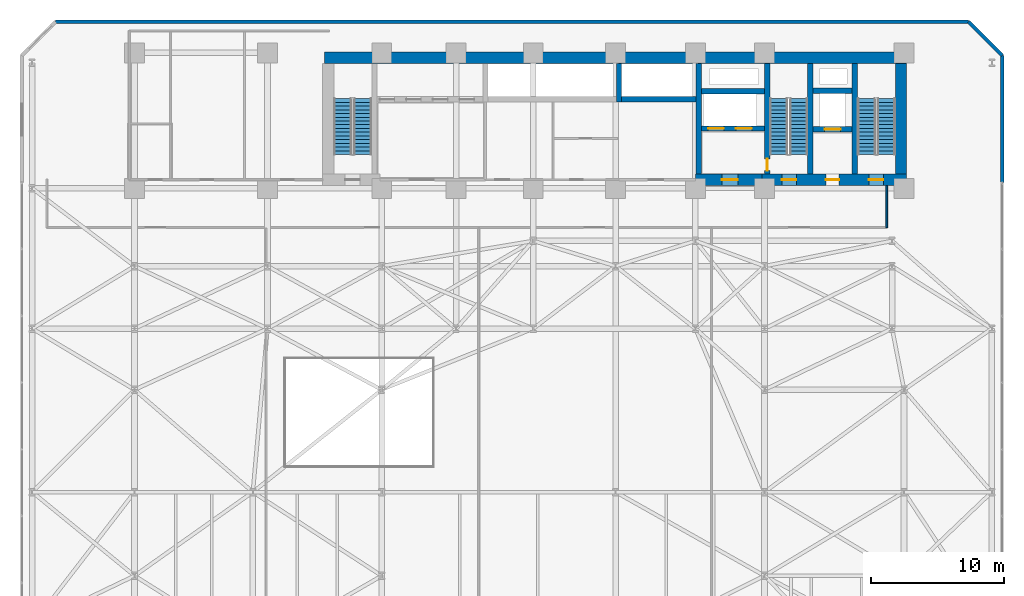
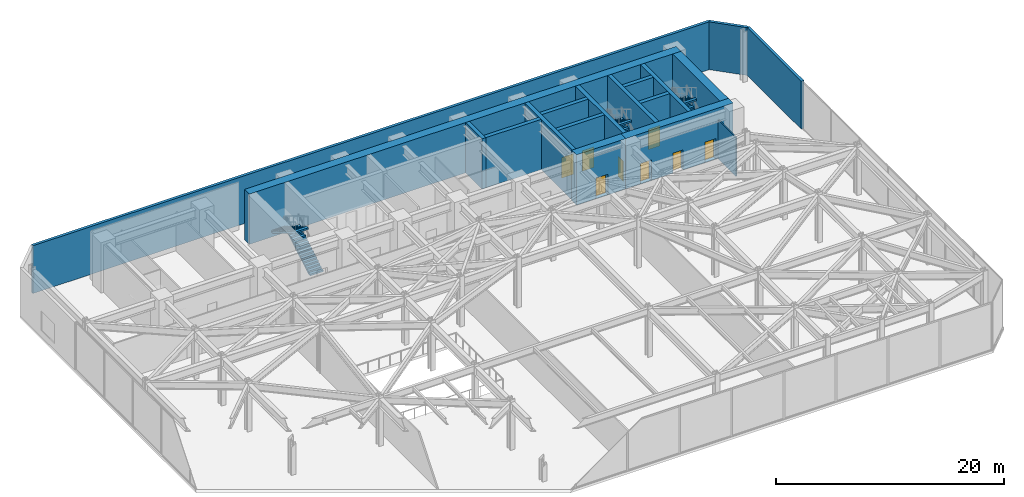
# One storey, part 26 of 29: 18 walls, 8 doors, 6 stair flights, 8 openings, 3 elements without a shape of their own.
"""IFC4 building model written with IfcOpenShell, lengths in metres."""

from ifc_helpers import new_model, si_unit, direction, frame, frame_2d, origin, place, context, subcontext, project, spatial, polyline, rectangle, outline, extrude, material, layer, layer_set, type_object, element, fill, aggregate, save


model = new_model("IFC4")

# Units and contexts
model_context = context("Model", 3, precision=1e-05, world=origin(), true_north=direction((0.0, 1.0)))
body_context = subcontext(model_context, "Body", "Model", "MODEL_VIEW")
ifc_project = project(units=[si_unit("LENGTHUNIT", "METRE"), si_unit("AREAUNIT", "SQUARE_METRE"), si_unit("VOLUMEUNIT", "CUBIC_METRE"), si_unit("PLANEANGLEUNIT", "RADIAN"), si_unit("MASSUNIT", "GRAM", prefix="KILO")], contexts=[model_context])

# Site, building, storey
site_placement = place(None, origin())
site = spatial("IfcSite", under=ifc_project, at=site_placement, CompositionType="ELEMENT")
building_placement = place(site_placement, origin())
building = spatial("IfcBuilding", under=site, at=building_placement, Name="Kravanh Interchange Tower", CompositionType="ELEMENT")
storey_placement = place(building_placement, frame((0.0, 0.0, 5.39990234375)))
storey = spatial("IfcBuildingStorey", under=building, at=storey_placement, Name="L01", CompositionType="ELEMENT", Elevation=5.39990234375)

# Walls
ifc_material_1 = material(Name="Double Acoustic Gypsum Board and Mineral Wool")
ifc_layer_1 = layer(ifc_material_1, 0.1201171875)
ifc_layer_set_1 = layer_set([ifc_layer_1], Name="Acoustic Office Drywall Partition 120mm")
wall_type_1 = type_object("IfcWallType", Name="Acoustic Office Drywall Partition 120mm", PredefinedType="PARTITIONING", material=ifc_layer_set_1)
wall_1_placement = place(storey_placement, frame((65.199951171875, 34.39990234375, 0.0), z_axis=(0.0, 0.0, 1.0), x_axis=(0.0, 1.0, 0.0)))
element("IfcWall", 1, at=wall_1_placement, inside=storey, type_object=wall_type_1, Name="L01 Interior Partition 9", PredefinedType="PARTITIONING", context=body_context, shape_type="SweptSolid", body=[
    extrude(rectangle(XDim=3.1669921875, YDim=0.1201171875, at=frame_2d((1.58349609375, 0.0))), origin(), (0.0, 0.0, 1.0), 4.18212890625),
])
ifc_material_2 = material(Name="Concrete C80/95", Category="concrete")
ifc_layer_2 = layer(ifc_material_2, 0.39990234375)
ifc_layer_set_2 = layer_set([ifc_layer_2], Name="Core Shear Wall Concrete C80/95 400mm")
wall_type_2 = type_object("IfcWallType", Name="Core Shear Wall Concrete C80/95 400mm", PredefinedType="SHEAR", material=ifc_layer_set_2)
for number, where, z_axis, x_axis, name in (
    (2, (62.800048828125, 38.425048828125, 0.0), (0.0, 0.0, 1.0), (0.0, 1.0, 0.0), "L01 Stair ST1 West Shear Wall"),
    (3, (59.449951171875, 38.425048828125, 0.0), (0.0, 0.0, 1.0), (0.0, 1.0, 0.0), "L01 Stair ST2 East Shear Wall"),
):
    element("IfcWall", number, at=place(storey_placement, frame(where, z_axis=z_axis, x_axis=x_axis)), inside=storey, type_object=wall_type_2, Name=name, PredefinedType="SHEAR", context=body_context, shape_type="SweptSolid", body=[
        extrude(rectangle(XDim=8.324951171875, YDim=0.39990234375, at=frame_2d((4.16259765625, 0.0))), origin(), (0.0, 0.0, 1.0), 5.400146484375),
    ])

# Wall, opening, door
wall_2_placement = place(storey_placement, frame((56.199951171875, 38.425048828125, 0.0), z_axis=(0.0, 0.0, 1.0), x_axis=(0.0, 1.0, 0.0)))
wall_2 = element("IfcWall", 4, at=wall_2_placement, inside=storey, type_object=wall_type_2, Name="L01 Stair ST2 West Shear Wall", PredefinedType="SHEAR", context=body_context, shape_type="SweptSolid", body=[
    extrude(rectangle(XDim=8.324951171875, YDim=0.39990234375, at=frame_2d((4.16259765625, 0.0))), origin(), (0.0, 0.0, 1.0), 5.400146484375),
])
opening_1_placement = place(wall_2_placement, frame((0.2548828125, 0.0, 0.0)))
opening_1 = element("IfcOpeningElement", 5, at=opening_1_placement, cuts=wall_2, Name="Opening D-STAIR-90", PredefinedType="OPENING", context=body_context, shape_type="SweptSolid", body=[
    extrude(rectangle(XDim=0.89990234375, YDim=2.14990234375, at=frame_2d((0.449951171875, 1.074951171875))), frame((0.0, 0.2099609375, 0.0), z_axis=(0.0, -1.0, 0.0), x_axis=(1.0, 0.0, 0.0)), (0.0, 0.0, 1.0), 0.419921875),
])
ifc_material_3 = material(Name="Structural Steel S355", Category="steel")
door_type_1 = type_object("IfcDoorType", Name="Fire-Rated Stair Lobby Door 900x2150", OperationType="NOTDEFINED", PredefinedType="DOOR", material=ifc_material_3)
door_1_placement = place(opening_1_placement, origin())
door_1 = element("IfcDoor", 6, at=door_1_placement, inside=storey, type_object=door_type_1, Name="L01 Firefighting Lobby to Stair ST2 Door", OperationType="SINGLE_SWING_LEFT", OverallHeight=2.14990234375, OverallWidth=0.89990234375, PredefinedType="DOOR", context=body_context, shape_type="SweptSolid", body=[
    extrude(rectangle(XDim=0.89990234375, YDim=2.14990234375, at=frame_2d((0.449951171875, 1.074951171875))), frame((0.0, 0.02490234375, 0.0), z_axis=(0.0, -1.0, 0.0), x_axis=(1.0, 0.0, 0.0)), (0.0, 0.0, 1.0), 0.050048828125),
])
fill(opening_1, door_1)

wall_3_placement = place(storey_placement, frame((59.64990234375, 41.800048828125, 0.0), z_axis=(0.0, 0.0, 1.0), x_axis=(1.0, 0.0, 0.0)))
wall_3 = element("IfcWall", 7, at=wall_3_placement, inside=storey, type_object=wall_type_2, Name="L01 Service Lift Shaft South Wall", PredefinedType="SHEAR", context=body_context, shape_type="SweptSolid", body=[
    extrude(rectangle(XDim=2.9501953125, YDim=0.39990234375, at=frame_2d((1.47509765625, 0.0))), origin(), (0.0, 0.0, 1.0), 5.400146484375),
])
opening_2_placement = place(wall_3_placement, frame((0.8701171875, 0.0, 0.0)))
opening_2 = element("IfcOpeningElement", 8, at=opening_2_placement, cuts=wall_3, Name="Opening LD02", PredefinedType="OPENING", context=body_context, shape_type="SweptSolid", body=[
    extrude(rectangle(XDim=1.199951171875, YDim=2.199951171875, at=frame_2d((0.60009765625, 1.10009765625))), frame((0.0, 0.2099609375, 0.0), z_axis=(0.0, -1.0, 0.0), x_axis=(1.0, 0.0, 0.0)), (0.0, 0.0, 1.0), 0.419921875),
])
ifc_material_4 = material(Name="Stainless Steel 316", Category="steel")
door_type_2 = type_object("IfcDoorType", Name="Fire and Service Lift Sliding Landing Door 1200x2200", OperationType="DOUBLE_DOOR_SLIDING", PredefinedType="DOOR", material=ifc_material_4)
door_2_placement = place(opening_2_placement, origin())
door_2 = element("IfcDoor", 9, at=door_2_placement, inside=storey, type_object=door_type_2, Name="L01 Lift LS-01 Landing Door", OperationType="DOUBLE_DOOR_SLIDING", OverallHeight=2.199951171875, OverallWidth=1.199951171875, PredefinedType="DOOR", context=body_context, shape_type="SweptSolid", body=[
    extrude(rectangle(XDim=1.199951171875, YDim=2.199951171875, at=frame_2d((0.60009765625, 1.10009765625))), frame((0.0, 0.02490234375, 0.0), z_axis=(0.0, -1.0, 0.0), x_axis=(1.0, 0.0, 0.0)), (0.0, 0.0, 1.0), 0.050048828125),
])
fill(opening_2, door_2)

# Wall
wall_4_placement = place(storey_placement, frame((59.64990234375, 44.699951171875, 0.0), z_axis=(0.0, 0.0, 1.0), x_axis=(1.0, 0.0, 0.0)))
element("IfcWall", 10, at=wall_4_placement, inside=storey, type_object=wall_type_2, Name="L01 Service Lift Shaft North Wall", PredefinedType="SHEAR", context=body_context, shape_type="SweptSolid", body=[
    extrude(rectangle(XDim=2.9501953125, YDim=0.39990234375, at=frame_2d((1.47509765625, 0.0))), origin(), (0.0, 0.0, 1.0), 5.400146484375),
])

# Wall, openings, doors
wall_5_placement = place(storey_placement, frame((51.25, 41.85009765625, 0.0), z_axis=(0.0, 0.0, 1.0), x_axis=(1.0, 0.0, 0.0)))
wall_5 = element("IfcWall", 11, at=wall_5_placement, inside=storey, type_object=wall_type_2, Name="L01 Fire Lift Shaft South Wall", PredefinedType="SHEAR", context=body_context, shape_type="SweptSolid", body=[
    extrude(rectangle(XDim=4.75, YDim=0.39990234375, at=frame_2d((2.375, 0.0))), origin(), (0.0, 0.0, 1.0), 5.400146484375),
])
opening_3_placement = place(wall_5_placement, frame((0.5, 0.0, 0.0)))
opening_3 = element("IfcOpeningElement", 12, at=opening_3_placement, cuts=wall_5, Name="Opening LD02", PredefinedType="OPENING", context=body_context, shape_type="SweptSolid", body=[
    extrude(rectangle(XDim=1.199951171875, YDim=2.199951171875, at=frame_2d((0.60009765625, 1.10009765625))), frame((0.0, 0.2099609375, 0.0), z_axis=(0.0, -1.0, 0.0), x_axis=(1.0, 0.0, 0.0)), (0.0, 0.0, 1.0), 0.419921875),
])
opening_4_placement = place(wall_5_placement, frame((2.60009765625, 0.0, 0.0)))
opening_4 = element("IfcOpeningElement", 13, at=opening_4_placement, cuts=wall_5, Name="Opening LD02", PredefinedType="OPENING", context=body_context, shape_type="SweptSolid", body=[
    extrude(rectangle(XDim=1.199951171875, YDim=2.199951171875, at=frame_2d((0.60009765625, 1.10009765625))), frame((0.0, 0.2099609375, 0.0), z_axis=(0.0, -1.0, 0.0), x_axis=(1.0, 0.0, 0.0)), (0.0, 0.0, 1.0), 0.419921875),
])
door_3_placement = place(opening_3_placement, origin())
door_3 = element("IfcDoor", 14, at=door_3_placement, inside=storey, type_object=door_type_2, Name="L01 Lift FSAE-01 Landing Door", OperationType="DOUBLE_DOOR_SLIDING", OverallHeight=2.199951171875, OverallWidth=1.199951171875, PredefinedType="DOOR", context=body_context, shape_type="SweptSolid", body=[
    extrude(rectangle(XDim=1.199951171875, YDim=2.199951171875, at=frame_2d((0.60009765625, 1.10009765625))), frame((0.0, 0.02490234375, 0.0), z_axis=(0.0, -1.0, 0.0), x_axis=(1.0, 0.0, 0.0)), (0.0, 0.0, 1.0), 0.050048828125),
])
fill(opening_3, door_3)
door_4_placement = place(opening_4_placement, origin())
door_4 = element("IfcDoor", 15, at=door_4_placement, inside=storey, type_object=door_type_2, Name="L01 Lift FSAE-02 Landing Door", OperationType="DOUBLE_DOOR_SLIDING", OverallHeight=2.199951171875, OverallWidth=1.199951171875, PredefinedType="DOOR", context=body_context, shape_type="SweptSolid", body=[
    extrude(rectangle(XDim=1.199951171875, YDim=2.199951171875, at=frame_2d((0.60009765625, 1.10009765625))), frame((0.0, 0.02490234375, 0.0), z_axis=(0.0, -1.0, 0.0), x_axis=(1.0, 0.0, 0.0)), (0.0, 0.0, 1.0), 0.050048828125),
])
fill(opening_4, door_4)

# Walls
wall_6_placement = place(storey_placement, frame((51.25, 44.64990234375, 0.0), z_axis=(0.0, 0.0, 1.0), x_axis=(1.0, 0.0, 0.0)))
element("IfcWall", 16, at=wall_6_placement, inside=storey, type_object=wall_type_2, Name="L01 Fire Lift Shaft North Wall", PredefinedType="SHEAR", context=body_context, shape_type="SweptSolid", body=[
    extrude(rectangle(XDim=4.75, YDim=0.39990234375, at=frame_2d((2.375, 0.0))), origin(), (0.0, 0.0, 1.0), 5.400146484375),
])
wall_7_placement = place(storey_placement, frame((51.050048828125, 38.425048828125, 0.0), z_axis=(0.0, 0.0, 1.0), x_axis=(0.0, 1.0, 0.0)))
element("IfcWall", 17, at=wall_7_placement, inside=storey, type_object=wall_type_2, Name="L01 Firefighting Lobby West Wall", PredefinedType="SHEAR", context=body_context, shape_type="SweptSolid", body=[
    extrude(rectangle(XDim=8.324951171875, YDim=0.39990234375, at=frame_2d((4.16259765625, 0.0))), origin(), (0.0, 0.0, 1.0), 5.400146484375),
])
wall_8_placement = place(storey_placement, frame((45.25, 44.050048828125, 0.0), z_axis=(0.0, 0.0, 1.0), x_axis=(1.0, 0.0, 0.0)))
element("IfcWall", 18, at=wall_8_placement, inside=storey, type_object=wall_type_2, Name="L01 High-Rise Lift Shaft South Wall", PredefinedType="SHEAR", context=body_context, shape_type="SweptSolid", body=[
    extrude(rectangle(XDim=5.60009765625, YDim=0.39990234375, at=frame_2d((2.800048828125, 0.0))), origin(), (0.0, 0.0, 1.0), 5.400146484375),
])
wall_9_placement = place(storey_placement, frame((45.050048828125, 43.85009765625, 0.0), z_axis=(0.0, 0.0, 1.0), x_axis=(0.0, 1.0, 0.0)))
element("IfcWall", 19, at=wall_9_placement, inside=storey, type_object=wall_type_2, Name="L01 High-Rise Lift Shaft West Wall", PredefinedType="SHEAR", context=body_context, shape_type="SweptSolid", body=[
    extrude(rectangle(XDim=2.89990234375, YDim=0.39990234375, at=frame_2d((1.449951171875, 0.0))), origin(), (0.0, 0.0, 1.0), 5.400146484375),
])
ifc_material_5 = material(Name="Concrete C80/95", Category="concrete")
ifc_layer_3 = layer(ifc_material_5, 0.85009765625)
ifc_layer_set_3 = layer_set([ifc_layer_3], Name="Core Shear Wall Concrete C80/95 850mm")
wall_type_3 = type_object("IfcWallType", Name="Core Shear Wall Concrete C80/95 850mm", PredefinedType="SHEAR", material=ifc_layer_set_3)
wall_10_placement = place(storey_placement, frame((22.89990234375, 47.175048828125, 0.0), z_axis=(0.0, 0.0, 1.0), x_axis=(1.0, 0.0, 0.0)))
element("IfcWall", 20, at=wall_10_placement, inside=storey, type_object=wall_type_3, Name="L01 North Core Shear Wall", PredefinedType="SHEAR", context=body_context, shape_type="SweptSolid", body=[
    extrude(rectangle(XDim=43.800048828125, YDim=0.85009765625, at=frame_2d((21.89990234375, 0.0))), origin(), (0.0, 0.0, 1.0), 5.400146484375),
])

# Wall, openings, doors
wall_11_placement = place(storey_placement, frame((55.800048828125, 38.0, 0.0), z_axis=(0.0, 0.0, 1.0), x_axis=(1.0, 0.0, 0.0)))
wall_11 = element("IfcWall", 21, at=wall_11_placement, inside=storey, type_object=wall_type_3, Name="L01 East Core South Shear Wall", PredefinedType="SHEAR", context=body_context, shape_type="SweptSolid", body=[
    extrude(rectangle(XDim=10.89990234375, YDim=0.85009765625, at=frame_2d((5.449951171875, 0.0))), origin(), (0.0, 0.0, 1.0), 5.400146484375),
])
opening_5_placement = place(wall_11_placement, frame((1.5, 0.0, 0.0)))
opening_5 = element("IfcOpeningElement", 22, at=opening_5_placement, cuts=wall_11, Name="Opening D-STAIR-110", PredefinedType="OPENING", context=body_context, shape_type="SweptSolid", body=[
    extrude(rectangle(XDim=1.10009765625, YDim=2.199951171875, at=frame_2d((0.550048828125, 1.10009765625))), frame((0.0, 0.43505859375, 0.0), z_axis=(0.0, -1.0, 0.0), x_axis=(1.0, 0.0, 0.0)), (0.0, 0.0, 1.0), 0.8701171875),
])
opening_6_placement = place(wall_11_placement, frame((4.820068359375, 0.0, 0.0)))
opening_6 = element("IfcOpeningElement", 23, at=opening_6_placement, cuts=wall_11, Name="Opening D-HOTEL-100", PredefinedType="OPENING", context=body_context, shape_type="SweptSolid", body=[
    extrude(rectangle(XDim=1.0, YDim=2.14990234375, at=frame_2d((0.5, 1.074951171875))), frame((0.0, 0.43505859375, 0.0), z_axis=(0.0, -1.0, 0.0), x_axis=(1.0, 0.0, 0.0)), (0.0, 0.0, 1.0), 0.8701171875),
])
opening_7_placement = place(wall_11_placement, frame((8.050048828125, 0.0, 0.0)))
opening_7 = element("IfcOpeningElement", 24, at=opening_7_placement, cuts=wall_11, Name="Opening D-STAIR-110", PredefinedType="OPENING", context=body_context, shape_type="SweptSolid", body=[
    extrude(rectangle(XDim=1.10009765625, YDim=2.199951171875, at=frame_2d((0.550048828125, 1.10009765625))), frame((0.0, 0.43505859375, 0.0), z_axis=(0.0, -1.0, 0.0), x_axis=(1.0, 0.0, 0.0)), (0.0, 0.0, 1.0), 0.8701171875),
])
ifc_material_6 = material(Name="Structural Steel S355", Category="steel")
door_type_3 = type_object("IfcDoorType", Name="Fire-Rated Exit Stair Door 1100x2200", OperationType="NOTDEFINED", PredefinedType="DOOR", material=ifc_material_6)
door_5_placement = place(opening_5_placement, origin())
door_5 = element("IfcDoor", 25, at=door_5_placement, inside=storey, type_object=door_type_3, Name="L01 Exit Stair ST2 Door", OperationType="SINGLE_SWING_RIGHT", OverallHeight=2.199951171875, OverallWidth=1.10009765625, PredefinedType="DOOR", context=body_context, shape_type="SweptSolid", body=[
    extrude(rectangle(XDim=1.10009765625, YDim=2.199951171875, at=frame_2d((0.550048828125, 1.10009765625))), frame((0.0, 0.02490234375, 0.0), z_axis=(0.0, -1.0, 0.0), x_axis=(1.0, 0.0, 0.0)), (0.0, 0.0, 1.0), 0.050048828125),
])
fill(opening_5, door_5)
door_6_placement = place(opening_7_placement, origin())
door_6 = element("IfcDoor", 26, at=door_6_placement, inside=storey, type_object=door_type_3, Name="L01 Exit Stair ST1 Door", OperationType="SINGLE_SWING_RIGHT", OverallHeight=2.199951171875, OverallWidth=1.10009765625, PredefinedType="DOOR", context=body_context, shape_type="SweptSolid", body=[
    extrude(rectangle(XDim=1.10009765625, YDim=2.199951171875, at=frame_2d((0.550048828125, 1.10009765625))), frame((0.0, 0.02490234375, 0.0), z_axis=(0.0, -1.0, 0.0), x_axis=(1.0, 0.0, 0.0)), (0.0, 0.0, 1.0), 0.050048828125),
])
fill(opening_7, door_6)
ifc_material_7 = material(Name="Fire-Rated Solid Timber Leaf", Category="wood")
door_type_4 = type_object("IfcDoorType", Name="Fire-Rated Suite Entrance Door 1000x2150", OperationType="NOTDEFINED", PredefinedType="DOOR", material=ifc_material_7)
door_7_placement = place(opening_6_placement, origin())
door_7 = element("IfcDoor", 27, at=door_7_placement, inside=storey, type_object=door_type_4, Name="L01 Service Lift Lobby Door", OperationType="SINGLE_SWING_RIGHT", OverallHeight=2.14990234375, OverallWidth=1.0, PredefinedType="DOOR", context=body_context, shape_type="SweptSolid", body=[
    extrude(rectangle(XDim=1.0, YDim=2.14990234375, at=frame_2d((0.5, 1.074951171875))), frame((0.0, 0.02490234375, 0.0), z_axis=(0.0, -1.0, 0.0), x_axis=(1.0, 0.0, 0.0)), (0.0, 0.0, 1.0), 0.050048828125),
])
fill(opening_6, door_7)

# Wall
wall_12_placement = place(storey_placement, frame((66.27490234375, 38.425048828125, 0.0), z_axis=(0.0, 0.0, 1.0), x_axis=(0.0, 1.0, 0.0)))
element("IfcWall", 28, at=wall_12_placement, inside=storey, type_object=wall_type_3, Name="L01 Stair ST1 East Shear Wall", PredefinedType="SHEAR", context=body_context, shape_type="SweptSolid", body=[
    extrude(rectangle(XDim=8.324951171875, YDim=0.85009765625, at=frame_2d((4.16259765625, 0.0))), origin(), (0.0, 0.0, 1.0), 5.400146484375),
])

# Wall, opening, door
wall_13_placement = place(storey_placement, frame((50.800048828125, 38.0, 0.0), z_axis=(0.0, 0.0, 1.0), x_axis=(1.0, 0.0, 0.0)))
wall_13 = element("IfcWall", 29, at=wall_13_placement, inside=storey, type_object=wall_type_3, Name="L01 Firefighting Lobby South Shear Wall", PredefinedType="SHEAR", context=body_context, shape_type="SweptSolid", body=[
    extrude(rectangle(XDim=5.0, YDim=0.85009765625, at=frame_2d((2.5, 0.0))), origin(), (0.0, 0.0, 1.0), 5.400146484375),
])
opening_8_placement = place(wall_13_placement, frame((2.0, 0.0, 0.0)))
opening_8 = element("IfcOpeningElement", 30, at=opening_8_placement, cuts=wall_13, Name="Opening D-FSAE-120", PredefinedType="OPENING", context=body_context, shape_type="SweptSolid", body=[
    extrude(rectangle(XDim=1.199951171875, YDim=2.199951171875, at=frame_2d((0.60009765625, 1.10009765625))), frame((0.0, 0.43505859375, 0.0), z_axis=(0.0, -1.0, 0.0), x_axis=(1.0, 0.0, 0.0)), (0.0, 0.0, 1.0), 0.8701171875),
])
ifc_material_8 = material(Name="Structural Steel S355", Category="steel")
door_type_5 = type_object("IfcDoorType", Name="Fire-Rated Refuge and FSAE Door 1200x2200", OperationType="NOTDEFINED", PredefinedType="DOOR", material=ifc_material_8)
door_8_placement = place(opening_8_placement, origin())
door_8 = element("IfcDoor", 31, at=door_8_placement, inside=storey, type_object=door_type_5, Name="L01 Firefighting Lobby Corridor Door", OperationType="SINGLE_SWING_RIGHT", OverallHeight=2.199951171875, OverallWidth=1.199951171875, PredefinedType="DOOR", context=body_context, shape_type="SweptSolid", body=[
    extrude(rectangle(XDim=1.199951171875, YDim=2.199951171875, at=frame_2d((0.60009765625, 1.10009765625))), frame((0.0, 0.02490234375, 0.0), z_axis=(0.0, -1.0, 0.0), x_axis=(1.0, 0.0, 0.0)), (0.0, 0.0, 1.0), 0.050048828125),
])
fill(opening_8, door_8)

# Walls
ifc_material_9 = material(Name="Insulated Precast Concrete C40/50 with Bronze Cladding", Category="concrete")
ifc_layer_4 = layer(ifc_material_9, 0.280029296875)
ifc_layer_set_4 = layer_set([ifc_layer_4], Name="Exterior Insulated Concrete C40/50 Bronze Spandrel Wall 280mm")
wall_type_4 = type_object("IfcWallType", Name="Exterior Insulated Concrete C40/50 Bronze Spandrel Wall 280mm", PredefinedType="STANDARD", material=ifc_layer_set_4)
wall_14_placement = place(storey_placement, frame((2.649658203125, 49.8798828125, 0.0), z_axis=(0.0, 0.0, 1.0), x_axis=(1.0, 0.0, 0.0)))
element("IfcWall", 32, at=wall_14_placement, inside=storey, type_object=wall_type_4, Name="L01 Exterior Wall 3", PredefinedType="STANDARD", context=body_context, shape_type="SweptSolid", body=[
    extrude(rectangle(XDim=68.70068359375, YDim=0.280029296875, at=frame_2d((34.350341796875, 0.0))), origin(), (0.0, 0.0, 1.0), 5.130126953125),
])
wall_15_placement = place(storey_placement, frame((71.350341796875, 49.8798828125, 0.0), z_axis=(0.0, 0.0, 1.0), x_axis=(0.707106781187, -0.707106781187, 0.0)))
element("IfcWall", 33, at=wall_15_placement, inside=storey, type_object=wall_type_4, Name="L01 Exterior Wall 4", PredefinedType="STANDARD", context=body_context, shape_type="SweptSolid", body=[
    extrude(rectangle(XDim=3.577392578125, YDim=0.280029296875, at=frame_2d((1.78857421875, 0.0))), origin(), (0.0, 0.0, 1.0), 5.130126953125),
])
wall_16_placement = place(storey_placement, frame((73.8798828125, 47.350341796875, 0.0), z_axis=(0.0, 0.0, 1.0), x_axis=(0.0, -1.0, 0.0)))
element("IfcWall", 34, at=wall_16_placement, inside=storey, type_object=wall_type_4, Name="L01 Exterior Wall 5", PredefinedType="STANDARD", context=body_context, shape_type="SweptSolid", body=[
    extrude(rectangle(XDim=9.55029296875, YDim=0.280029296875, at=frame_2d((4.775146484375, 0.0))), origin(), (0.0, 0.0, 1.0), 5.130126953125),
])

# Stair, stair flights
ifc_material_10 = material(Name="Concrete C50/60", Category="concrete")
stair_type = type_object("IfcStairType", Name="Core Fire Exit Dogleg Stair Concrete C50/60", PredefinedType="HALF_TURN_STAIR", material=ifc_material_10)
stair_1_placement = place(storey_placement, origin())
stair_1 = element("IfcStair", 35, at=stair_1_placement, inside=storey, type_object=stair_type, Name="L01 Exit Stair ST1", PredefinedType="HALF_TURN_STAIR")
ifc_material_11 = material(Name="Precast Concrete C50/60", Category="concrete")
ifc_layer_5 = layer(ifc_material_11, 0.199951171875)
ifc_layer_set_5 = layer_set([ifc_layer_5], Name="Precast Concrete C50/60 Stair Flight 1350mm")
stair_flight_type = type_object("IfcStairFlightType", Name="Precast Concrete C50/60 Stair Flight 1350mm", PredefinedType="STRAIGHT", material=ifc_layer_set_5)
stair_flight_1_placement = place(storey_placement, frame((65.175048828125, 39.89990234375, 0.0), z_axis=(0.0, 0.0, 1.0), x_axis=(0.0, 1.0, 0.0)))
stair_flight_1 = element("IfcStairFlight", 36, at=stair_flight_1_placement, type_object=stair_flight_type, Name="ST1 flight 1", NumberOfRisers=16, NumberOfTreads=15, PredefinedType="STRAIGHT", RiserHeight=0.16875, TreadLength=0.28, context=body_context, shape_type="SweptSolid", body=[
    extrude(outline(polyline([(0.0, 0.0), (0.0, 0.168701171875), (0.280029296875, 0.168701171875), (0.280029296875, 0.33740234375), (0.56005859375, 0.33740234375), (0.56005859375, 0.50634765625), (0.840087890625, 0.50634765625), (0.840087890625, 0.675048828125), (1.1201171875, 0.675048828125), (1.1201171875, 0.84375), (1.39990234375, 0.84375), (1.39990234375, 1.012451171875), (1.679931640625, 1.012451171875), (1.679931640625, 1.18115234375), (1.9599609375, 1.18115234375), (1.9599609375, 1.35009765625), (2.239990234375, 1.35009765625), (2.239990234375, 1.518798828125), (2.52001953125, 1.518798828125), (2.52001953125, 1.6875), (2.800048828125, 1.6875), (2.800048828125, 1.856201171875), (3.080078125, 1.856201171875), (3.080078125, 2.02490234375), (3.360107421875, 2.02490234375), (3.360107421875, 2.19384765625), (3.639892578125, 2.19384765625), (3.639892578125, 2.362548828125), (3.919921875, 2.362548828125), (3.919921875, 2.53125), (4.199951171875, 2.53125), (4.199951171875, 2.699951171875), (4.199951171875, 2.356201171875), (0.29052734375, 0.0), (0.0, 0.0)])), frame((0.0, 0.675048828125, 0.0), z_axis=(0.0, -1.0, 0.0), x_axis=(1.0, 0.0, 0.0)), (0.0, 0.0, 1.0), 1.35009765625),
])
stair_flight_2_placement = place(storey_placement, frame((63.675048828125, 44.10009765625, 2.7001953125), z_axis=(0.0, 0.0, 1.0), x_axis=(0.0, -1.0, 0.0)))
stair_flight_2 = element("IfcStairFlight", 37, at=stair_flight_2_placement, type_object=stair_flight_type, Name="ST1 flight 2", NumberOfRisers=16, NumberOfTreads=15, PredefinedType="STRAIGHT", RiserHeight=0.16875, TreadLength=0.28, context=body_context, shape_type="SweptSolid", body=[
    extrude(outline(polyline([(0.0, 0.0), (0.0, 0.168701171875), (0.280029296875, 0.168701171875), (0.280029296875, 0.33740234375), (0.56005859375, 0.33740234375), (0.56005859375, 0.50634765625), (0.840087890625, 0.50634765625), (0.840087890625, 0.675048828125), (1.1201171875, 0.675048828125), (1.1201171875, 0.84375), (1.39990234375, 0.84375), (1.39990234375, 1.012451171875), (1.679931640625, 1.012451171875), (1.679931640625, 1.18115234375), (1.9599609375, 1.18115234375), (1.9599609375, 1.35009765625), (2.239990234375, 1.35009765625), (2.239990234375, 1.518798828125), (2.52001953125, 1.518798828125), (2.52001953125, 1.6875), (2.800048828125, 1.6875), (2.800048828125, 1.856201171875), (3.080078125, 1.856201171875), (3.080078125, 2.02490234375), (3.360107421875, 2.02490234375), (3.360107421875, 2.19384765625), (3.639892578125, 2.19384765625), (3.639892578125, 2.362548828125), (3.919921875, 2.362548828125), (3.919921875, 2.53125), (4.199951171875, 2.53125), (4.199951171875, 2.699951171875), (4.199951171875, 2.356201171875), (0.29052734375, 0.0), (0.0, 0.0)])), frame((0.0, 0.675048828125, 0.0), z_axis=(0.0, -1.0, 0.0), x_axis=(1.0, 0.0, 0.0)), (0.0, 0.0, 1.0), 1.35009765625),
])
aggregate(stair_1, [stair_flight_1, stair_flight_2])

stair_2_placement = place(storey_placement, origin())
stair_2 = element("IfcStair", 38, at=stair_2_placement, inside=storey, type_object=stair_type, Name="L01 Exit Stair ST2", PredefinedType="HALF_TURN_STAIR")
stair_flight_3_placement = place(storey_placement, frame((58.574951171875, 39.89990234375, 0.0), z_axis=(0.0, 0.0, 1.0), x_axis=(0.0, 1.0, 0.0)))
stair_flight_3 = element("IfcStairFlight", 39, at=stair_flight_3_placement, type_object=stair_flight_type, Name="ST2 flight 1", NumberOfRisers=16, NumberOfTreads=15, PredefinedType="STRAIGHT", RiserHeight=0.16875, TreadLength=0.28, context=body_context, shape_type="SweptSolid", body=[
    extrude(outline(polyline([(0.0, 0.0), (0.0, 0.168701171875), (0.280029296875, 0.168701171875), (0.280029296875, 0.33740234375), (0.56005859375, 0.33740234375), (0.56005859375, 0.50634765625), (0.840087890625, 0.50634765625), (0.840087890625, 0.675048828125), (1.1201171875, 0.675048828125), (1.1201171875, 0.84375), (1.39990234375, 0.84375), (1.39990234375, 1.012451171875), (1.679931640625, 1.012451171875), (1.679931640625, 1.18115234375), (1.9599609375, 1.18115234375), (1.9599609375, 1.35009765625), (2.239990234375, 1.35009765625), (2.239990234375, 1.518798828125), (2.52001953125, 1.518798828125), (2.52001953125, 1.6875), (2.800048828125, 1.6875), (2.800048828125, 1.856201171875), (3.080078125, 1.856201171875), (3.080078125, 2.02490234375), (3.360107421875, 2.02490234375), (3.360107421875, 2.19384765625), (3.639892578125, 2.19384765625), (3.639892578125, 2.362548828125), (3.919921875, 2.362548828125), (3.919921875, 2.53125), (4.199951171875, 2.53125), (4.199951171875, 2.699951171875), (4.199951171875, 2.356201171875), (0.29052734375, 0.0), (0.0, 0.0)])), frame((0.0, 0.675048828125, 0.0), z_axis=(0.0, -1.0, 0.0), x_axis=(1.0, 0.0, 0.0)), (0.0, 0.0, 1.0), 1.35009765625),
])
stair_flight_4_placement = place(storey_placement, frame((57.074951171875, 44.10009765625, 2.7001953125), z_axis=(0.0, 0.0, 1.0), x_axis=(0.0, -1.0, 0.0)))
stair_flight_4 = element("IfcStairFlight", 40, at=stair_flight_4_placement, type_object=stair_flight_type, Name="ST2 flight 2", NumberOfRisers=16, NumberOfTreads=15, PredefinedType="STRAIGHT", RiserHeight=0.16875, TreadLength=0.28, context=body_context, shape_type="SweptSolid", body=[
    extrude(outline(polyline([(0.0, 0.0), (0.0, 0.168701171875), (0.280029296875, 0.168701171875), (0.280029296875, 0.33740234375), (0.56005859375, 0.33740234375), (0.56005859375, 0.50634765625), (0.840087890625, 0.50634765625), (0.840087890625, 0.675048828125), (1.1201171875, 0.675048828125), (1.1201171875, 0.84375), (1.39990234375, 0.84375), (1.39990234375, 1.012451171875), (1.679931640625, 1.012451171875), (1.679931640625, 1.18115234375), (1.9599609375, 1.18115234375), (1.9599609375, 1.35009765625), (2.239990234375, 1.35009765625), (2.239990234375, 1.518798828125), (2.52001953125, 1.518798828125), (2.52001953125, 1.6875), (2.800048828125, 1.6875), (2.800048828125, 1.856201171875), (3.080078125, 1.856201171875), (3.080078125, 2.02490234375), (3.360107421875, 2.02490234375), (3.360107421875, 2.19384765625), (3.639892578125, 2.19384765625), (3.639892578125, 2.362548828125), (3.919921875, 2.362548828125), (3.919921875, 2.53125), (4.199951171875, 2.53125), (4.199951171875, 2.699951171875), (4.199951171875, 2.356201171875), (0.29052734375, 0.0), (0.0, 0.0)])), frame((0.0, 0.675048828125, 0.0), z_axis=(0.0, -1.0, 0.0), x_axis=(1.0, 0.0, 0.0)), (0.0, 0.0, 1.0), 1.35009765625),
])
aggregate(stair_2, [stair_flight_3, stair_flight_4])

stair_3_placement = place(storey_placement, origin())
stair_3 = element("IfcStair", 41, at=stair_3_placement, inside=storey, type_object=stair_type, Name="L01 Exit Stair ST3", PredefinedType="HALF_TURN_STAIR")
stair_flight_5_placement = place(storey_placement, frame((25.77490234375, 39.89990234375, 0.0), z_axis=(0.0, 0.0, 1.0), x_axis=(0.0, 1.0, 0.0)))
stair_flight_5 = element("IfcStairFlight", 42, at=stair_flight_5_placement, type_object=stair_flight_type, Name="ST3 flight 1", NumberOfRisers=16, NumberOfTreads=15, PredefinedType="STRAIGHT", RiserHeight=0.16875, TreadLength=0.28, context=body_context, shape_type="SweptSolid", body=[
    extrude(outline(polyline([(0.0, 0.0), (0.0, 0.168701171875), (0.280029296875, 0.168701171875), (0.280029296875, 0.33740234375), (0.56005859375, 0.33740234375), (0.56005859375, 0.50634765625), (0.840087890625, 0.50634765625), (0.840087890625, 0.675048828125), (1.1201171875, 0.675048828125), (1.1201171875, 0.84375), (1.39990234375, 0.84375), (1.39990234375, 1.012451171875), (1.679931640625, 1.012451171875), (1.679931640625, 1.18115234375), (1.9599609375, 1.18115234375), (1.9599609375, 1.35009765625), (2.239990234375, 1.35009765625), (2.239990234375, 1.518798828125), (2.52001953125, 1.518798828125), (2.52001953125, 1.6875), (2.800048828125, 1.6875), (2.800048828125, 1.856201171875), (3.080078125, 1.856201171875), (3.080078125, 2.02490234375), (3.360107421875, 2.02490234375), (3.360107421875, 2.19384765625), (3.639892578125, 2.19384765625), (3.639892578125, 2.362548828125), (3.919921875, 2.362548828125), (3.919921875, 2.53125), (4.199951171875, 2.53125), (4.199951171875, 2.699951171875), (4.199951171875, 2.356201171875), (0.29052734375, 0.0), (0.0, 0.0)])), frame((0.0, 0.675048828125, 0.0), z_axis=(0.0, -1.0, 0.0), x_axis=(1.0, 0.0, 0.0)), (0.0, 0.0, 1.0), 1.35009765625),
])
stair_flight_6_placement = place(storey_placement, frame((24.27490234375, 44.10009765625, 2.7001953125), z_axis=(0.0, 0.0, 1.0), x_axis=(0.0, -1.0, 0.0)))
stair_flight_6 = element("IfcStairFlight", 43, at=stair_flight_6_placement, type_object=stair_flight_type, Name="ST3 flight 2", NumberOfRisers=16, NumberOfTreads=15, PredefinedType="STRAIGHT", RiserHeight=0.16875, TreadLength=0.28, context=body_context, shape_type="SweptSolid", body=[
    extrude(outline(polyline([(0.0, 0.0), (0.0, 0.168701171875), (0.280029296875, 0.168701171875), (0.280029296875, 0.33740234375), (0.56005859375, 0.33740234375), (0.56005859375, 0.50634765625), (0.840087890625, 0.50634765625), (0.840087890625, 0.675048828125), (1.1201171875, 0.675048828125), (1.1201171875, 0.84375), (1.39990234375, 0.84375), (1.39990234375, 1.012451171875), (1.679931640625, 1.012451171875), (1.679931640625, 1.18115234375), (1.9599609375, 1.18115234375), (1.9599609375, 1.35009765625), (2.239990234375, 1.35009765625), (2.239990234375, 1.518798828125), (2.52001953125, 1.518798828125), (2.52001953125, 1.6875), (2.800048828125, 1.6875), (2.800048828125, 1.856201171875), (3.080078125, 1.856201171875), (3.080078125, 2.02490234375), (3.360107421875, 2.02490234375), (3.360107421875, 2.19384765625), (3.639892578125, 2.19384765625), (3.639892578125, 2.362548828125), (3.919921875, 2.362548828125), (3.919921875, 2.53125), (4.199951171875, 2.53125), (4.199951171875, 2.699951171875), (4.199951171875, 2.356201171875), (0.29052734375, 0.0), (0.0, 0.0)])), frame((0.0, 0.675048828125, 0.0), z_axis=(0.0, -1.0, 0.0), x_axis=(1.0, 0.0, 0.0)), (0.0, 0.0, 1.0), 1.35009765625),
])
aggregate(stair_3, [stair_flight_5, stair_flight_6])

save(model, "model.ifc")
